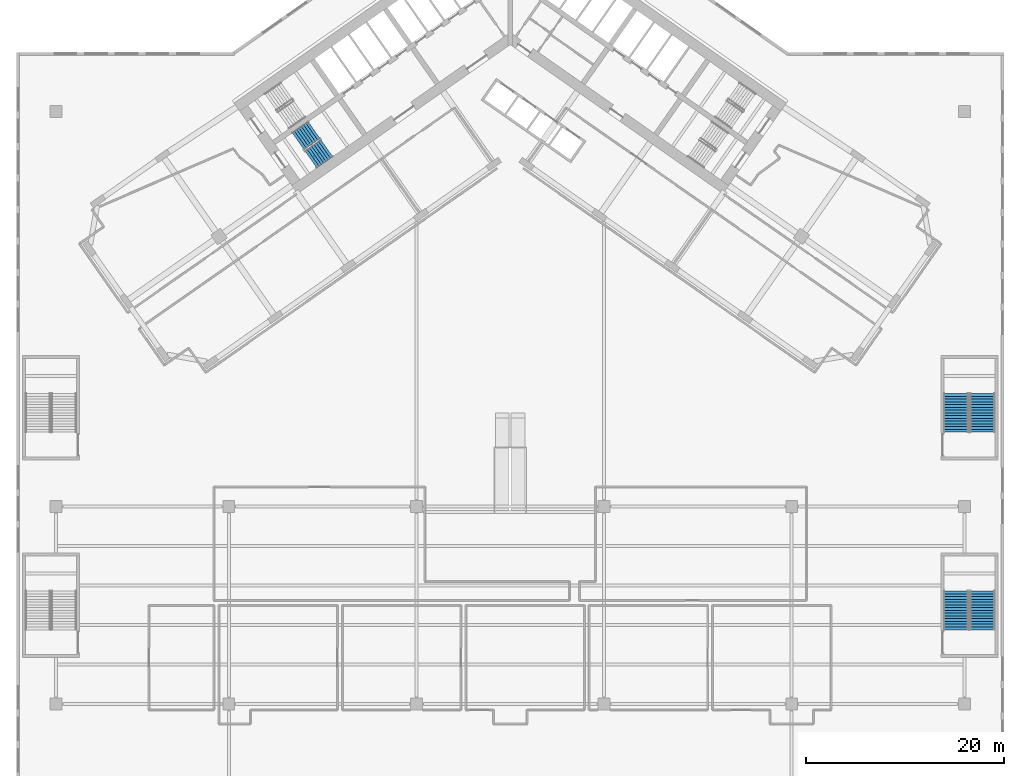
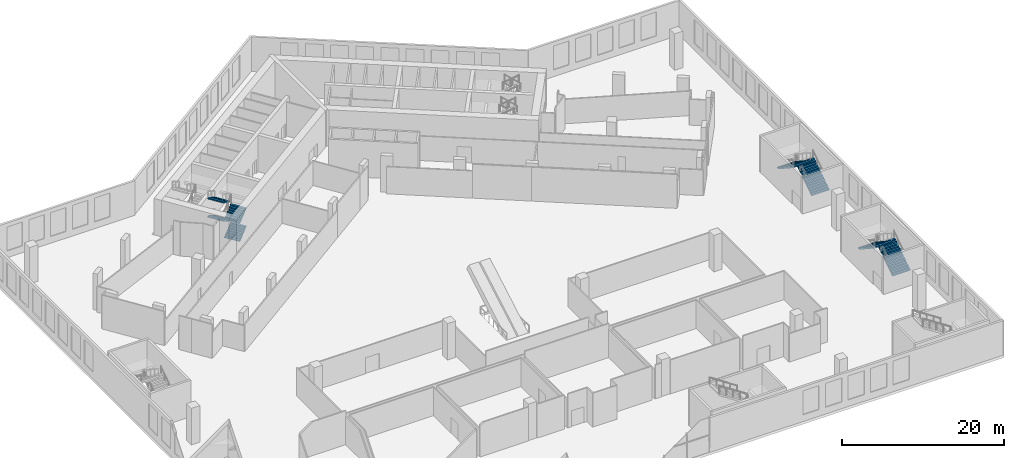
# One storey, part 15 of 26: 8 stair flights, 3 elements without a shape of their own.
"""IFC4 building model written with IfcOpenShell, lengths in metres."""

from ifc_helpers import new_model, si_unit, direction, frame, origin, place, context, subcontext, project, spatial, polyline, outline, extrude, material, type_object, element, aggregate, save


model = new_model("IFC4")

# Units and contexts
model_context = context("Model", 3, precision=1e-05, world=origin(), true_north=direction((0.0, 1.0)))
body_context = subcontext(model_context, "Body", "Model", "MODEL_VIEW")
ifc_project = project(units=[si_unit("LENGTHUNIT", "METRE"), si_unit("AREAUNIT", "SQUARE_METRE"), si_unit("VOLUMEUNIT", "CUBIC_METRE"), si_unit("PLANEANGLEUNIT", "RADIAN"), si_unit("MASSUNIT", "GRAM", prefix="KILO")], contexts=[model_context])

# Site, building, storey
site_placement = place(None, origin())
site = spatial("IfcSite", under=ifc_project, at=site_placement, CompositionType="ELEMENT")
building_placement = place(site_placement, origin())
building = spatial("IfcBuilding", under=site, at=building_placement, Name="Tel Ilan Convention Tower", CompositionType="ELEMENT")
storey_placement = place(building_placement, frame((0.0, 0.0, 32.0)))
storey = spatial("IfcBuildingStorey", under=building, at=storey_placement, Name="L04", CompositionType="ELEMENT", Elevation=32.0)

# Stair, stair flights
ifc_material_1 = material(Name="Concrete C40/50", Category="concrete")
stair_type_1 = type_object("IfcStairType", Name="Pressurised Exit Stair 32 risers 172 mm", PredefinedType="HALF_TURN_STAIR", material=ifc_material_1)
stair_1_placement = place(storey_placement, origin())
stair_1 = element("IfcStair", 1, at=stair_1_placement, inside=storey, type_object=stair_type_1, Name="L04 Pressurised Stair S2", PredefinedType="HALF_TURN_STAIR")
ifc_material_2 = material(Name="Precast Concrete C40/50", Category="concrete")
stair_flight_type_1 = type_object("IfcStairFlightType", Name="Concrete Stair Flight 2100 mm 32 risers 172 mm", PredefinedType="STRAIGHT", material=ifc_material_2)
stair_flight_1_placement = place(storey_placement, frame((-20.179931640625, -12.848388671875, 0.0), z_axis=(0.0, 0.0, 1.0), x_axis=(0.819152044289, 0.573576436351, 0.0)))
stair_flight_1 = element("IfcStairFlight", 2, at=stair_flight_1_placement, type_object=stair_flight_type_1, Name="S2 flight 1", NumberOfRisers=8, NumberOfTreads=7, PredefinedType="STRAIGHT", RiserHeight=0.171875, TreadLength=0.28, context=body_context, shape_type="SweptSolid", body=[
    extrude(outline(polyline([(0.0, 0.0), (0.0, 0.171875), (0.280029296875, 0.171875), (0.280029296875, 0.34375), (0.56005859375, 0.34375), (0.56005859375, 0.515625), (0.840087890625, 0.515625), (0.840087890625, 0.6875), (1.1201171875, 0.6875), (1.1201171875, 0.859375), (1.39990234375, 0.859375), (1.39990234375, 1.03125), (1.679931640625, 1.03125), (1.679931640625, 1.203125), (1.9599609375, 1.203125), (1.9599609375, 1.375), (1.9599609375, 1.02734375), (0.28662109375, 0.0), (0.0, 0.0)])), frame((0.0, -0.100341796875, 0.0), z_axis=(0.0, -1.0, 0.0), x_axis=(1.0, 0.0, 0.0)), (0.0, 0.0, 1.0), 0.94970703125),
    extrude(outline(polyline([(0.0, 0.0), (0.0, 0.171875), (0.280029296875, 0.171875), (0.280029296875, 0.34375), (0.56005859375, 0.34375), (0.56005859375, 0.515625), (0.840087890625, 0.515625), (0.840087890625, 0.6875), (1.1201171875, 0.6875), (1.1201171875, 0.859375), (1.39990234375, 0.859375), (1.39990234375, 1.03125), (1.679931640625, 1.03125), (1.679931640625, 1.203125), (1.9599609375, 1.203125), (1.9599609375, 1.375), (1.9599609375, 1.02734375), (0.28662109375, 0.0), (0.0, 0.0)])), frame((0.0, -0.000244140625, 0.0), z_axis=(0.0, -1.0, 0.0), x_axis=(1.0, 0.0, 0.0)), (0.0, 0.0, 1.0), 0.099609375),
    extrude(outline(polyline([(0.0, 0.0), (0.0, 0.171875), (0.280029296875, 0.171875), (0.280029296875, 0.34375), (0.56005859375, 0.34375), (0.56005859375, 0.515625), (0.840087890625, 0.515625), (0.840087890625, 0.6875), (1.1201171875, 0.6875), (1.1201171875, 0.859375), (1.39990234375, 0.859375), (1.39990234375, 1.03125), (1.679931640625, 1.03125), (1.679931640625, 1.203125), (1.9599609375, 1.203125), (1.9599609375, 1.375), (1.9599609375, 1.02734375), (0.28662109375, 0.0), (0.0, 0.0)])), frame((0.0, 0.099853515625, 0.0), z_axis=(0.0, -1.0, 0.0), x_axis=(1.0, 0.0, 0.0)), (0.0, 0.0, 1.0), 0.099609375),
    extrude(outline(polyline([(0.0, 0.0), (0.0, 0.171875), (0.280029296875, 0.171875), (0.280029296875, 0.34375), (0.56005859375, 0.34375), (0.56005859375, 0.515625), (0.840087890625, 0.515625), (0.840087890625, 0.6875), (1.1201171875, 0.6875), (1.1201171875, 0.859375), (1.39990234375, 0.859375), (1.39990234375, 1.03125), (1.679931640625, 1.03125), (1.679931640625, 1.203125), (1.9599609375, 1.203125), (1.9599609375, 1.375), (1.9599609375, 1.02734375), (0.28662109375, 0.0), (0.0, 0.0)])), frame((0.0, 1.050048828125, 0.0), z_axis=(0.0, -1.0, 0.0), x_axis=(1.0, 0.0, 0.0)), (0.0, 0.0, 1.0), 0.94970703125),
])
stair_flight_2_placement = place(storey_placement, frame((-19.864990234375, -9.881103515625, 1.375), z_axis=(0.0, 0.0, 1.0), x_axis=(-0.819152044289, -0.573576436351, 0.0)))
stair_flight_2 = element("IfcStairFlight", 3, at=stair_flight_2_placement, type_object=stair_flight_type_1, Name="S2 flight 2", NumberOfRisers=8, NumberOfTreads=7, PredefinedType="STRAIGHT", RiserHeight=0.171875, TreadLength=0.28, context=body_context, shape_type="SweptSolid", body=[
    extrude(outline(polyline([(0.0, 0.0), (0.0, 0.171875), (0.280029296875, 0.171875), (0.280029296875, 0.34375), (0.56005859375, 0.34375), (0.56005859375, 0.515625), (0.840087890625, 0.515625), (0.840087890625, 0.6875), (1.1201171875, 0.6875), (1.1201171875, 0.859375), (1.39990234375, 0.859375), (1.39990234375, 1.03125), (1.679931640625, 1.03125), (1.679931640625, 1.203125), (1.9599609375, 1.203125), (1.9599609375, 1.375), (1.9599609375, 1.02734375), (0.28662109375, 0.0), (0.0, 0.0)])), frame((0.0, -0.100341796875, 0.0), z_axis=(0.0, -1.0, 0.0), x_axis=(1.0, 0.0, 0.0)), (0.0, 0.0, 1.0), 0.94970703125),
    extrude(outline(polyline([(0.0, 0.0), (0.0, 0.171875), (0.280029296875, 0.171875), (0.280029296875, 0.34375), (0.56005859375, 0.34375), (0.56005859375, 0.515625), (0.840087890625, 0.515625), (0.840087890625, 0.6875), (1.1201171875, 0.6875), (1.1201171875, 0.859375), (1.39990234375, 0.859375), (1.39990234375, 1.03125), (1.679931640625, 1.03125), (1.679931640625, 1.203125), (1.9599609375, 1.203125), (1.9599609375, 1.375), (1.9599609375, 1.02734375), (0.28662109375, 0.0), (0.0, 0.0)])), frame((0.0, -0.000244140625, 0.0), z_axis=(0.0, -1.0, 0.0), x_axis=(1.0, 0.0, 0.0)), (0.0, 0.0, 1.0), 0.099609375),
    extrude(outline(polyline([(0.0, 0.0), (0.0, 0.171875), (0.280029296875, 0.171875), (0.280029296875, 0.34375), (0.56005859375, 0.34375), (0.56005859375, 0.515625), (0.840087890625, 0.515625), (0.840087890625, 0.6875), (1.1201171875, 0.6875), (1.1201171875, 0.859375), (1.39990234375, 0.859375), (1.39990234375, 1.03125), (1.679931640625, 1.03125), (1.679931640625, 1.203125), (1.9599609375, 1.203125), (1.9599609375, 1.375), (1.9599609375, 1.02734375), (0.28662109375, 0.0), (0.0, 0.0)])), frame((0.0, 0.099853515625, 0.0), z_axis=(0.0, -1.0, 0.0), x_axis=(1.0, 0.0, 0.0)), (0.0, 0.0, 1.0), 0.099609375),
    extrude(outline(polyline([(0.0, 0.0), (0.0, 0.171875), (0.280029296875, 0.171875), (0.280029296875, 0.34375), (0.56005859375, 0.34375), (0.56005859375, 0.515625), (0.840087890625, 0.515625), (0.840087890625, 0.6875), (1.1201171875, 0.6875), (1.1201171875, 0.859375), (1.39990234375, 0.859375), (1.39990234375, 1.03125), (1.679931640625, 1.03125), (1.679931640625, 1.203125), (1.9599609375, 1.203125), (1.9599609375, 1.375), (1.9599609375, 1.02734375), (0.28662109375, 0.0), (0.0, 0.0)])), frame((0.0, 1.050048828125, 0.0), z_axis=(0.0, -1.0, 0.0), x_axis=(1.0, 0.0, 0.0)), (0.0, 0.0, 1.0), 0.94970703125),
])
stair_flight_3_placement = place(storey_placement, frame((-20.179931640625, -12.848388671875, 2.75), z_axis=(0.0, 0.0, 1.0), x_axis=(0.819152044289, 0.573576436351, 0.0)))
stair_flight_3 = element("IfcStairFlight", 4, at=stair_flight_3_placement, type_object=stair_flight_type_1, Name="S2 flight 3", NumberOfRisers=8, NumberOfTreads=7, PredefinedType="STRAIGHT", RiserHeight=0.171875, TreadLength=0.28, context=body_context, shape_type="SweptSolid", body=[
    extrude(outline(polyline([(0.0, 0.0), (0.0, 0.171875), (0.280029296875, 0.171875), (0.280029296875, 0.34375), (0.56005859375, 0.34375), (0.56005859375, 0.515625), (0.840087890625, 0.515625), (0.840087890625, 0.6875), (1.1201171875, 0.6875), (1.1201171875, 0.859375), (1.39990234375, 0.859375), (1.39990234375, 1.03125), (1.679931640625, 1.03125), (1.679931640625, 1.203125), (1.9599609375, 1.203125), (1.9599609375, 1.375), (1.9599609375, 1.02734375), (0.28662109375, 0.0), (0.0, 0.0)])), frame((0.0, -0.100341796875, 0.0), z_axis=(0.0, -1.0, 0.0), x_axis=(1.0, 0.0, 0.0)), (0.0, 0.0, 1.0), 0.94970703125),
    extrude(outline(polyline([(0.0, 0.0), (0.0, 0.171875), (0.280029296875, 0.171875), (0.280029296875, 0.34375), (0.56005859375, 0.34375), (0.56005859375, 0.515625), (0.840087890625, 0.515625), (0.840087890625, 0.6875), (1.1201171875, 0.6875), (1.1201171875, 0.859375), (1.39990234375, 0.859375), (1.39990234375, 1.03125), (1.679931640625, 1.03125), (1.679931640625, 1.203125), (1.9599609375, 1.203125), (1.9599609375, 1.375), (1.9599609375, 1.02734375), (0.28662109375, 0.0), (0.0, 0.0)])), frame((0.0, -0.000244140625, 0.0), z_axis=(0.0, -1.0, 0.0), x_axis=(1.0, 0.0, 0.0)), (0.0, 0.0, 1.0), 0.099609375),
    extrude(outline(polyline([(0.0, 0.0), (0.0, 0.171875), (0.280029296875, 0.171875), (0.280029296875, 0.34375), (0.56005859375, 0.34375), (0.56005859375, 0.515625), (0.840087890625, 0.515625), (0.840087890625, 0.6875), (1.1201171875, 0.6875), (1.1201171875, 0.859375), (1.39990234375, 0.859375), (1.39990234375, 1.03125), (1.679931640625, 1.03125), (1.679931640625, 1.203125), (1.9599609375, 1.203125), (1.9599609375, 1.375), (1.9599609375, 1.02734375), (0.28662109375, 0.0), (0.0, 0.0)])), frame((0.0, 0.099853515625, 0.0), z_axis=(0.0, -1.0, 0.0), x_axis=(1.0, 0.0, 0.0)), (0.0, 0.0, 1.0), 0.099609375),
    extrude(outline(polyline([(0.0, 0.0), (0.0, 0.171875), (0.280029296875, 0.171875), (0.280029296875, 0.34375), (0.56005859375, 0.34375), (0.56005859375, 0.515625), (0.840087890625, 0.515625), (0.840087890625, 0.6875), (1.1201171875, 0.6875), (1.1201171875, 0.859375), (1.39990234375, 0.859375), (1.39990234375, 1.03125), (1.679931640625, 1.03125), (1.679931640625, 1.203125), (1.9599609375, 1.203125), (1.9599609375, 1.375), (1.9599609375, 1.02734375), (0.28662109375, 0.0), (0.0, 0.0)])), frame((0.0, 1.050048828125, 0.0), z_axis=(0.0, -1.0, 0.0), x_axis=(1.0, 0.0, 0.0)), (0.0, 0.0, 1.0), 0.94970703125),
])
stair_flight_4_placement = place(storey_placement, frame((-19.864990234375, -9.881103515625, 4.125), z_axis=(0.0, 0.0, 1.0), x_axis=(-0.819152044289, -0.573576436351, 0.0)))
stair_flight_4 = element("IfcStairFlight", 5, at=stair_flight_4_placement, type_object=stair_flight_type_1, Name="S2 flight 4", NumberOfRisers=8, NumberOfTreads=7, PredefinedType="STRAIGHT", RiserHeight=0.171875, TreadLength=0.28, context=body_context, shape_type="SweptSolid", body=[
    extrude(outline(polyline([(0.0, 0.0), (0.0, 0.171875), (0.280029296875, 0.171875), (0.280029296875, 0.34375), (0.56005859375, 0.34375), (0.56005859375, 0.515625), (0.840087890625, 0.515625), (0.840087890625, 0.6875), (1.1201171875, 0.6875), (1.1201171875, 0.859375), (1.39990234375, 0.859375), (1.39990234375, 1.03125), (1.679931640625, 1.03125), (1.679931640625, 1.203125), (1.9599609375, 1.203125), (1.9599609375, 1.375), (1.9599609375, 1.02734375), (0.28662109375, 0.0), (0.0, 0.0)])), frame((0.0, -0.100341796875, 0.0), z_axis=(0.0, -1.0, 0.0), x_axis=(1.0, 0.0, 0.0)), (0.0, 0.0, 1.0), 0.94970703125),
    extrude(outline(polyline([(0.0, 0.0), (0.0, 0.171875), (0.280029296875, 0.171875), (0.280029296875, 0.34375), (0.56005859375, 0.34375), (0.56005859375, 0.515625), (0.840087890625, 0.515625), (0.840087890625, 0.6875), (1.1201171875, 0.6875), (1.1201171875, 0.859375), (1.39990234375, 0.859375), (1.39990234375, 1.03125), (1.679931640625, 1.03125), (1.679931640625, 1.203125), (1.9599609375, 1.203125), (1.9599609375, 1.375), (1.9599609375, 1.02734375), (0.28662109375, 0.0), (0.0, 0.0)])), frame((0.0, -0.000244140625, 0.0), z_axis=(0.0, -1.0, 0.0), x_axis=(1.0, 0.0, 0.0)), (0.0, 0.0, 1.0), 0.099609375),
    extrude(outline(polyline([(0.0, 0.0), (0.0, 0.171875), (0.280029296875, 0.171875), (0.280029296875, 0.34375), (0.56005859375, 0.34375), (0.56005859375, 0.515625), (0.840087890625, 0.515625), (0.840087890625, 0.6875), (1.1201171875, 0.6875), (1.1201171875, 0.859375), (1.39990234375, 0.859375), (1.39990234375, 1.03125), (1.679931640625, 1.03125), (1.679931640625, 1.203125), (1.9599609375, 1.203125), (1.9599609375, 1.375), (1.9599609375, 1.02734375), (0.28662109375, 0.0), (0.0, 0.0)])), frame((0.0, 0.099853515625, 0.0), z_axis=(0.0, -1.0, 0.0), x_axis=(1.0, 0.0, 0.0)), (0.0, 0.0, 1.0), 0.099609375),
    extrude(outline(polyline([(0.0, 0.0), (0.0, 0.171875), (0.280029296875, 0.171875), (0.280029296875, 0.34375), (0.56005859375, 0.34375), (0.56005859375, 0.515625), (0.840087890625, 0.515625), (0.840087890625, 0.6875), (1.1201171875, 0.6875), (1.1201171875, 0.859375), (1.39990234375, 0.859375), (1.39990234375, 1.03125), (1.679931640625, 1.03125), (1.679931640625, 1.203125), (1.9599609375, 1.203125), (1.9599609375, 1.375), (1.9599609375, 1.02734375), (0.28662109375, 0.0), (0.0, 0.0)])), frame((0.0, 1.050048828125, 0.0), z_axis=(0.0, -1.0, 0.0), x_axis=(1.0, 0.0, 0.0)), (0.0, 0.0, 1.0), 0.94970703125),
])
aggregate(stair_1, [stair_flight_1, stair_flight_2, stair_flight_3, stair_flight_4])

ifc_material_3 = material(Name="Concrete C40/50", Category="concrete")
stair_type_2 = type_object("IfcStairType", Name="Pressurised Exit Stair 30 risers 183 mm", PredefinedType="HALF_TURN_STAIR", material=ifc_material_3)
stair_2_placement = place(storey_placement, origin())
stair_2 = element("IfcStair", 6, at=stair_2_placement, inside=storey, type_object=stair_type_2, Name="L04 Podium Exit Stair P6", PredefinedType="HALF_TURN_STAIR")
ifc_material_4 = material(Name="Precast Concrete C40/50", Category="concrete")
stair_flight_type_2 = type_object("IfcStairFlightType", Name="Concrete Stair Flight 2525 mm 30 risers 183 mm", PredefinedType="STRAIGHT", material=ifc_material_4)
stair_flight_5_placement = place(storey_placement, frame((47.83740234375, -60.47509765625, 0.0), z_axis=(0.0, 0.0, 1.0), x_axis=(0.0, 1.0, 0.0)))
stair_flight_5 = element("IfcStairFlight", 7, at=stair_flight_5_placement, type_object=stair_flight_type_2, Name="P6 flight 1", NumberOfRisers=15, NumberOfTreads=14, PredefinedType="STRAIGHT", RiserHeight=0.183333333, TreadLength=0.28, context=body_context, shape_type="SweptSolid", body=[
    extrude(outline(polyline([(0.0, 0.0), (0.0, 0.183349609375), (0.280029296875, 0.183349609375), (0.280029296875, 0.36669921875), (0.56005859375, 0.36669921875), (0.56005859375, 0.550048828125), (0.840087890625, 0.550048828125), (0.840087890625, 0.7333984375), (1.1201171875, 0.7333984375), (1.1201171875, 0.916748046875), (1.39990234375, 0.916748046875), (1.39990234375, 1.10009765625), (1.679931640625, 1.10009765625), (1.679931640625, 1.283447265625), (1.9599609375, 1.283447265625), (1.9599609375, 1.466552734375), (2.239990234375, 1.466552734375), (2.239990234375, 1.64990234375), (2.52001953125, 1.64990234375), (2.52001953125, 1.833251953125), (2.800048828125, 1.833251953125), (2.800048828125, 2.0166015625), (3.080078125, 2.0166015625), (3.080078125, 2.199951171875), (3.360107421875, 2.199951171875), (3.360107421875, 2.38330078125), (3.639892578125, 2.38330078125), (3.639892578125, 2.566650390625), (3.919921875, 2.566650390625), (3.919921875, 2.75), (3.919921875, 2.387451171875), (0.273681640625, 0.0), (0.0, 0.0)])), frame((0.0, -0.100341796875, 0.0), z_axis=(0.0, -1.0, 0.0), x_axis=(1.0, 0.0, 0.0)), (0.0, 0.0, 1.0), 1.162109375),
    extrude(outline(polyline([(0.0, 0.0), (0.0, 0.183349609375), (0.280029296875, 0.183349609375), (0.280029296875, 0.36669921875), (0.56005859375, 0.36669921875), (0.56005859375, 0.550048828125), (0.840087890625, 0.550048828125), (0.840087890625, 0.7333984375), (1.1201171875, 0.7333984375), (1.1201171875, 0.916748046875), (1.39990234375, 0.916748046875), (1.39990234375, 1.10009765625), (1.679931640625, 1.10009765625), (1.679931640625, 1.283447265625), (1.9599609375, 1.283447265625), (1.9599609375, 1.466552734375), (2.239990234375, 1.466552734375), (2.239990234375, 1.64990234375), (2.52001953125, 1.64990234375), (2.52001953125, 1.833251953125), (2.800048828125, 1.833251953125), (2.800048828125, 2.0166015625), (3.080078125, 2.0166015625), (3.080078125, 2.199951171875), (3.360107421875, 2.199951171875), (3.360107421875, 2.38330078125), (3.639892578125, 2.38330078125), (3.639892578125, 2.566650390625), (3.919921875, 2.566650390625), (3.919921875, 2.75), (3.919921875, 2.387451171875), (0.273681640625, 0.0), (0.0, 0.0)])), frame((0.0, -0.000244140625, 0.0), z_axis=(0.0, -1.0, 0.0), x_axis=(1.0, 0.0, 0.0)), (0.0, 0.0, 1.0), 0.099609375),
    extrude(outline(polyline([(0.0, 0.0), (0.0, 0.183349609375), (0.280029296875, 0.183349609375), (0.280029296875, 0.36669921875), (0.56005859375, 0.36669921875), (0.56005859375, 0.550048828125), (0.840087890625, 0.550048828125), (0.840087890625, 0.7333984375), (1.1201171875, 0.7333984375), (1.1201171875, 0.916748046875), (1.39990234375, 0.916748046875), (1.39990234375, 1.10009765625), (1.679931640625, 1.10009765625), (1.679931640625, 1.283447265625), (1.9599609375, 1.283447265625), (1.9599609375, 1.466552734375), (2.239990234375, 1.466552734375), (2.239990234375, 1.64990234375), (2.52001953125, 1.64990234375), (2.52001953125, 1.833251953125), (2.800048828125, 1.833251953125), (2.800048828125, 2.0166015625), (3.080078125, 2.0166015625), (3.080078125, 2.199951171875), (3.360107421875, 2.199951171875), (3.360107421875, 2.38330078125), (3.639892578125, 2.38330078125), (3.639892578125, 2.566650390625), (3.919921875, 2.566650390625), (3.919921875, 2.75), (3.919921875, 2.387451171875), (0.273681640625, 0.0), (0.0, 0.0)])), frame((0.0, 0.099853515625, 0.0), z_axis=(0.0, -1.0, 0.0), x_axis=(1.0, 0.0, 0.0)), (0.0, 0.0, 1.0), 0.099609375),
    extrude(outline(polyline([(0.0, 0.0), (0.0, 0.183349609375), (0.280029296875, 0.183349609375), (0.280029296875, 0.36669921875), (0.56005859375, 0.36669921875), (0.56005859375, 0.550048828125), (0.840087890625, 0.550048828125), (0.840087890625, 0.7333984375), (1.1201171875, 0.7333984375), (1.1201171875, 0.916748046875), (1.39990234375, 0.916748046875), (1.39990234375, 1.10009765625), (1.679931640625, 1.10009765625), (1.679931640625, 1.283447265625), (1.9599609375, 1.283447265625), (1.9599609375, 1.466552734375), (2.239990234375, 1.466552734375), (2.239990234375, 1.64990234375), (2.52001953125, 1.64990234375), (2.52001953125, 1.833251953125), (2.800048828125, 1.833251953125), (2.800048828125, 2.0166015625), (3.080078125, 2.0166015625), (3.080078125, 2.199951171875), (3.360107421875, 2.199951171875), (3.360107421875, 2.38330078125), (3.639892578125, 2.38330078125), (3.639892578125, 2.566650390625), (3.919921875, 2.566650390625), (3.919921875, 2.75), (3.919921875, 2.387451171875), (0.273681640625, 0.0), (0.0, 0.0)])), frame((0.0, 1.262451171875, 0.0), z_axis=(0.0, -1.0, 0.0), x_axis=(1.0, 0.0, 0.0)), (0.0, 0.0, 1.0), 1.162109375),
])
stair_flight_6_placement = place(storey_placement, frame((45.16259765625, -56.554931640625, 2.75), z_axis=(0.0, 0.0, 1.0), x_axis=(0.0, -1.0, 0.0)))
stair_flight_6 = element("IfcStairFlight", 8, at=stair_flight_6_placement, type_object=stair_flight_type_2, Name="P6 flight 2", NumberOfRisers=15, NumberOfTreads=14, PredefinedType="STRAIGHT", RiserHeight=0.183333333, TreadLength=0.28, context=body_context, shape_type="SweptSolid", body=[
    extrude(outline(polyline([(0.0, 0.0), (0.0, 0.183349609375), (0.280029296875, 0.183349609375), (0.280029296875, 0.36669921875), (0.56005859375, 0.36669921875), (0.56005859375, 0.550048828125), (0.840087890625, 0.550048828125), (0.840087890625, 0.7333984375), (1.1201171875, 0.7333984375), (1.1201171875, 0.916748046875), (1.39990234375, 0.916748046875), (1.39990234375, 1.10009765625), (1.679931640625, 1.10009765625), (1.679931640625, 1.283447265625), (1.9599609375, 1.283447265625), (1.9599609375, 1.466552734375), (2.239990234375, 1.466552734375), (2.239990234375, 1.64990234375), (2.52001953125, 1.64990234375), (2.52001953125, 1.833251953125), (2.800048828125, 1.833251953125), (2.800048828125, 2.0166015625), (3.080078125, 2.0166015625), (3.080078125, 2.199951171875), (3.360107421875, 2.199951171875), (3.360107421875, 2.38330078125), (3.639892578125, 2.38330078125), (3.639892578125, 2.566650390625), (3.919921875, 2.566650390625), (3.919921875, 2.75), (3.919921875, 2.387451171875), (0.273681640625, 0.0), (0.0, 0.0)])), frame((0.0, -0.100341796875, 0.0), z_axis=(0.0, -1.0, 0.0), x_axis=(1.0, 0.0, 0.0)), (0.0, 0.0, 1.0), 1.162109375),
    extrude(outline(polyline([(0.0, 0.0), (0.0, 0.183349609375), (0.280029296875, 0.183349609375), (0.280029296875, 0.36669921875), (0.56005859375, 0.36669921875), (0.56005859375, 0.550048828125), (0.840087890625, 0.550048828125), (0.840087890625, 0.7333984375), (1.1201171875, 0.7333984375), (1.1201171875, 0.916748046875), (1.39990234375, 0.916748046875), (1.39990234375, 1.10009765625), (1.679931640625, 1.10009765625), (1.679931640625, 1.283447265625), (1.9599609375, 1.283447265625), (1.9599609375, 1.466552734375), (2.239990234375, 1.466552734375), (2.239990234375, 1.64990234375), (2.52001953125, 1.64990234375), (2.52001953125, 1.833251953125), (2.800048828125, 1.833251953125), (2.800048828125, 2.0166015625), (3.080078125, 2.0166015625), (3.080078125, 2.199951171875), (3.360107421875, 2.199951171875), (3.360107421875, 2.38330078125), (3.639892578125, 2.38330078125), (3.639892578125, 2.566650390625), (3.919921875, 2.566650390625), (3.919921875, 2.75), (3.919921875, 2.387451171875), (0.273681640625, 0.0), (0.0, 0.0)])), frame((0.0, -0.000244140625, 0.0), z_axis=(0.0, -1.0, 0.0), x_axis=(1.0, 0.0, 0.0)), (0.0, 0.0, 1.0), 0.099609375),
    extrude(outline(polyline([(0.0, 0.0), (0.0, 0.183349609375), (0.280029296875, 0.183349609375), (0.280029296875, 0.36669921875), (0.56005859375, 0.36669921875), (0.56005859375, 0.550048828125), (0.840087890625, 0.550048828125), (0.840087890625, 0.7333984375), (1.1201171875, 0.7333984375), (1.1201171875, 0.916748046875), (1.39990234375, 0.916748046875), (1.39990234375, 1.10009765625), (1.679931640625, 1.10009765625), (1.679931640625, 1.283447265625), (1.9599609375, 1.283447265625), (1.9599609375, 1.466552734375), (2.239990234375, 1.466552734375), (2.239990234375, 1.64990234375), (2.52001953125, 1.64990234375), (2.52001953125, 1.833251953125), (2.800048828125, 1.833251953125), (2.800048828125, 2.0166015625), (3.080078125, 2.0166015625), (3.080078125, 2.199951171875), (3.360107421875, 2.199951171875), (3.360107421875, 2.38330078125), (3.639892578125, 2.38330078125), (3.639892578125, 2.566650390625), (3.919921875, 2.566650390625), (3.919921875, 2.75), (3.919921875, 2.387451171875), (0.273681640625, 0.0), (0.0, 0.0)])), frame((0.0, 0.099853515625, 0.0), z_axis=(0.0, -1.0, 0.0), x_axis=(1.0, 0.0, 0.0)), (0.0, 0.0, 1.0), 0.099609375),
    extrude(outline(polyline([(0.0, 0.0), (0.0, 0.183349609375), (0.280029296875, 0.183349609375), (0.280029296875, 0.36669921875), (0.56005859375, 0.36669921875), (0.56005859375, 0.550048828125), (0.840087890625, 0.550048828125), (0.840087890625, 0.7333984375), (1.1201171875, 0.7333984375), (1.1201171875, 0.916748046875), (1.39990234375, 0.916748046875), (1.39990234375, 1.10009765625), (1.679931640625, 1.10009765625), (1.679931640625, 1.283447265625), (1.9599609375, 1.283447265625), (1.9599609375, 1.466552734375), (2.239990234375, 1.466552734375), (2.239990234375, 1.64990234375), (2.52001953125, 1.64990234375), (2.52001953125, 1.833251953125), (2.800048828125, 1.833251953125), (2.800048828125, 2.0166015625), (3.080078125, 2.0166015625), (3.080078125, 2.199951171875), (3.360107421875, 2.199951171875), (3.360107421875, 2.38330078125), (3.639892578125, 2.38330078125), (3.639892578125, 2.566650390625), (3.919921875, 2.566650390625), (3.919921875, 2.75), (3.919921875, 2.387451171875), (0.273681640625, 0.0), (0.0, 0.0)])), frame((0.0, 1.262451171875, 0.0), z_axis=(0.0, -1.0, 0.0), x_axis=(1.0, 0.0, 0.0)), (0.0, 0.0, 1.0), 1.162109375),
])
aggregate(stair_2, [stair_flight_5, stair_flight_6])

stair_3_placement = place(storey_placement, origin())
stair_3 = element("IfcStair", 9, at=stair_3_placement, inside=storey, type_object=stair_type_2, Name="L04 Podium Exit Stair P8", PredefinedType="HALF_TURN_STAIR")
stair_flight_7_placement = place(storey_placement, frame((47.83740234375, -40.47509765625, 0.0), z_axis=(0.0, 0.0, 1.0), x_axis=(0.0, 1.0, 0.0)))
stair_flight_7 = element("IfcStairFlight", 10, at=stair_flight_7_placement, type_object=stair_flight_type_2, Name="P8 flight 1", NumberOfRisers=15, NumberOfTreads=14, PredefinedType="STRAIGHT", RiserHeight=0.183333333, TreadLength=0.28, context=body_context, shape_type="SweptSolid", body=[
    extrude(outline(polyline([(0.0, 0.0), (0.0, 0.183349609375), (0.280029296875, 0.183349609375), (0.280029296875, 0.36669921875), (0.56005859375, 0.36669921875), (0.56005859375, 0.550048828125), (0.840087890625, 0.550048828125), (0.840087890625, 0.7333984375), (1.1201171875, 0.7333984375), (1.1201171875, 0.916748046875), (1.39990234375, 0.916748046875), (1.39990234375, 1.10009765625), (1.679931640625, 1.10009765625), (1.679931640625, 1.283447265625), (1.9599609375, 1.283447265625), (1.9599609375, 1.466552734375), (2.239990234375, 1.466552734375), (2.239990234375, 1.64990234375), (2.52001953125, 1.64990234375), (2.52001953125, 1.833251953125), (2.800048828125, 1.833251953125), (2.800048828125, 2.0166015625), (3.080078125, 2.0166015625), (3.080078125, 2.199951171875), (3.360107421875, 2.199951171875), (3.360107421875, 2.38330078125), (3.639892578125, 2.38330078125), (3.639892578125, 2.566650390625), (3.919921875, 2.566650390625), (3.919921875, 2.75), (3.919921875, 2.387451171875), (0.273681640625, 0.0), (0.0, 0.0)])), frame((0.0, -0.100341796875, 0.0), z_axis=(0.0, -1.0, 0.0), x_axis=(1.0, 0.0, 0.0)), (0.0, 0.0, 1.0), 1.162109375),
    extrude(outline(polyline([(0.0, 0.0), (0.0, 0.183349609375), (0.280029296875, 0.183349609375), (0.280029296875, 0.36669921875), (0.56005859375, 0.36669921875), (0.56005859375, 0.550048828125), (0.840087890625, 0.550048828125), (0.840087890625, 0.7333984375), (1.1201171875, 0.7333984375), (1.1201171875, 0.916748046875), (1.39990234375, 0.916748046875), (1.39990234375, 1.10009765625), (1.679931640625, 1.10009765625), (1.679931640625, 1.283447265625), (1.9599609375, 1.283447265625), (1.9599609375, 1.466552734375), (2.239990234375, 1.466552734375), (2.239990234375, 1.64990234375), (2.52001953125, 1.64990234375), (2.52001953125, 1.833251953125), (2.800048828125, 1.833251953125), (2.800048828125, 2.0166015625), (3.080078125, 2.0166015625), (3.080078125, 2.199951171875), (3.360107421875, 2.199951171875), (3.360107421875, 2.38330078125), (3.639892578125, 2.38330078125), (3.639892578125, 2.566650390625), (3.919921875, 2.566650390625), (3.919921875, 2.75), (3.919921875, 2.387451171875), (0.273681640625, 0.0), (0.0, 0.0)])), frame((0.0, -0.000244140625, 0.0), z_axis=(0.0, -1.0, 0.0), x_axis=(1.0, 0.0, 0.0)), (0.0, 0.0, 1.0), 0.099609375),
    extrude(outline(polyline([(0.0, 0.0), (0.0, 0.183349609375), (0.280029296875, 0.183349609375), (0.280029296875, 0.36669921875), (0.56005859375, 0.36669921875), (0.56005859375, 0.550048828125), (0.840087890625, 0.550048828125), (0.840087890625, 0.7333984375), (1.1201171875, 0.7333984375), (1.1201171875, 0.916748046875), (1.39990234375, 0.916748046875), (1.39990234375, 1.10009765625), (1.679931640625, 1.10009765625), (1.679931640625, 1.283447265625), (1.9599609375, 1.283447265625), (1.9599609375, 1.466552734375), (2.239990234375, 1.466552734375), (2.239990234375, 1.64990234375), (2.52001953125, 1.64990234375), (2.52001953125, 1.833251953125), (2.800048828125, 1.833251953125), (2.800048828125, 2.0166015625), (3.080078125, 2.0166015625), (3.080078125, 2.199951171875), (3.360107421875, 2.199951171875), (3.360107421875, 2.38330078125), (3.639892578125, 2.38330078125), (3.639892578125, 2.566650390625), (3.919921875, 2.566650390625), (3.919921875, 2.75), (3.919921875, 2.387451171875), (0.273681640625, 0.0), (0.0, 0.0)])), frame((0.0, 0.099853515625, 0.0), z_axis=(0.0, -1.0, 0.0), x_axis=(1.0, 0.0, 0.0)), (0.0, 0.0, 1.0), 0.099609375),
    extrude(outline(polyline([(0.0, 0.0), (0.0, 0.183349609375), (0.280029296875, 0.183349609375), (0.280029296875, 0.36669921875), (0.56005859375, 0.36669921875), (0.56005859375, 0.550048828125), (0.840087890625, 0.550048828125), (0.840087890625, 0.7333984375), (1.1201171875, 0.7333984375), (1.1201171875, 0.916748046875), (1.39990234375, 0.916748046875), (1.39990234375, 1.10009765625), (1.679931640625, 1.10009765625), (1.679931640625, 1.283447265625), (1.9599609375, 1.283447265625), (1.9599609375, 1.466552734375), (2.239990234375, 1.466552734375), (2.239990234375, 1.64990234375), (2.52001953125, 1.64990234375), (2.52001953125, 1.833251953125), (2.800048828125, 1.833251953125), (2.800048828125, 2.0166015625), (3.080078125, 2.0166015625), (3.080078125, 2.199951171875), (3.360107421875, 2.199951171875), (3.360107421875, 2.38330078125), (3.639892578125, 2.38330078125), (3.639892578125, 2.566650390625), (3.919921875, 2.566650390625), (3.919921875, 2.75), (3.919921875, 2.387451171875), (0.273681640625, 0.0), (0.0, 0.0)])), frame((0.0, 1.262451171875, 0.0), z_axis=(0.0, -1.0, 0.0), x_axis=(1.0, 0.0, 0.0)), (0.0, 0.0, 1.0), 1.162109375),
])
stair_flight_8_placement = place(storey_placement, frame((45.16259765625, -36.554931640625, 2.75), z_axis=(0.0, 0.0, 1.0), x_axis=(0.0, -1.0, 0.0)))
stair_flight_8 = element("IfcStairFlight", 11, at=stair_flight_8_placement, type_object=stair_flight_type_2, Name="P8 flight 2", NumberOfRisers=15, NumberOfTreads=14, PredefinedType="STRAIGHT", RiserHeight=0.183333333, TreadLength=0.28, context=body_context, shape_type="SweptSolid", body=[
    extrude(outline(polyline([(0.0, 0.0), (0.0, 0.183349609375), (0.280029296875, 0.183349609375), (0.280029296875, 0.36669921875), (0.56005859375, 0.36669921875), (0.56005859375, 0.550048828125), (0.840087890625, 0.550048828125), (0.840087890625, 0.7333984375), (1.1201171875, 0.7333984375), (1.1201171875, 0.916748046875), (1.39990234375, 0.916748046875), (1.39990234375, 1.10009765625), (1.679931640625, 1.10009765625), (1.679931640625, 1.283447265625), (1.9599609375, 1.283447265625), (1.9599609375, 1.466552734375), (2.239990234375, 1.466552734375), (2.239990234375, 1.64990234375), (2.52001953125, 1.64990234375), (2.52001953125, 1.833251953125), (2.800048828125, 1.833251953125), (2.800048828125, 2.0166015625), (3.080078125, 2.0166015625), (3.080078125, 2.199951171875), (3.360107421875, 2.199951171875), (3.360107421875, 2.38330078125), (3.639892578125, 2.38330078125), (3.639892578125, 2.566650390625), (3.919921875, 2.566650390625), (3.919921875, 2.75), (3.919921875, 2.387451171875), (0.273681640625, 0.0), (0.0, 0.0)])), frame((0.0, -0.100341796875, 0.0), z_axis=(0.0, -1.0, 0.0), x_axis=(1.0, 0.0, 0.0)), (0.0, 0.0, 1.0), 1.162109375),
    extrude(outline(polyline([(0.0, 0.0), (0.0, 0.183349609375), (0.280029296875, 0.183349609375), (0.280029296875, 0.36669921875), (0.56005859375, 0.36669921875), (0.56005859375, 0.550048828125), (0.840087890625, 0.550048828125), (0.840087890625, 0.7333984375), (1.1201171875, 0.7333984375), (1.1201171875, 0.916748046875), (1.39990234375, 0.916748046875), (1.39990234375, 1.10009765625), (1.679931640625, 1.10009765625), (1.679931640625, 1.283447265625), (1.9599609375, 1.283447265625), (1.9599609375, 1.466552734375), (2.239990234375, 1.466552734375), (2.239990234375, 1.64990234375), (2.52001953125, 1.64990234375), (2.52001953125, 1.833251953125), (2.800048828125, 1.833251953125), (2.800048828125, 2.0166015625), (3.080078125, 2.0166015625), (3.080078125, 2.199951171875), (3.360107421875, 2.199951171875), (3.360107421875, 2.38330078125), (3.639892578125, 2.38330078125), (3.639892578125, 2.566650390625), (3.919921875, 2.566650390625), (3.919921875, 2.75), (3.919921875, 2.387451171875), (0.273681640625, 0.0), (0.0, 0.0)])), frame((0.0, -0.000244140625, 0.0), z_axis=(0.0, -1.0, 0.0), x_axis=(1.0, 0.0, 0.0)), (0.0, 0.0, 1.0), 0.099609375),
    extrude(outline(polyline([(0.0, 0.0), (0.0, 0.183349609375), (0.280029296875, 0.183349609375), (0.280029296875, 0.36669921875), (0.56005859375, 0.36669921875), (0.56005859375, 0.550048828125), (0.840087890625, 0.550048828125), (0.840087890625, 0.7333984375), (1.1201171875, 0.7333984375), (1.1201171875, 0.916748046875), (1.39990234375, 0.916748046875), (1.39990234375, 1.10009765625), (1.679931640625, 1.10009765625), (1.679931640625, 1.283447265625), (1.9599609375, 1.283447265625), (1.9599609375, 1.466552734375), (2.239990234375, 1.466552734375), (2.239990234375, 1.64990234375), (2.52001953125, 1.64990234375), (2.52001953125, 1.833251953125), (2.800048828125, 1.833251953125), (2.800048828125, 2.0166015625), (3.080078125, 2.0166015625), (3.080078125, 2.199951171875), (3.360107421875, 2.199951171875), (3.360107421875, 2.38330078125), (3.639892578125, 2.38330078125), (3.639892578125, 2.566650390625), (3.919921875, 2.566650390625), (3.919921875, 2.75), (3.919921875, 2.387451171875), (0.273681640625, 0.0), (0.0, 0.0)])), frame((0.0, 0.099853515625, 0.0), z_axis=(0.0, -1.0, 0.0), x_axis=(1.0, 0.0, 0.0)), (0.0, 0.0, 1.0), 0.099609375),
    extrude(outline(polyline([(0.0, 0.0), (0.0, 0.183349609375), (0.280029296875, 0.183349609375), (0.280029296875, 0.36669921875), (0.56005859375, 0.36669921875), (0.56005859375, 0.550048828125), (0.840087890625, 0.550048828125), (0.840087890625, 0.7333984375), (1.1201171875, 0.7333984375), (1.1201171875, 0.916748046875), (1.39990234375, 0.916748046875), (1.39990234375, 1.10009765625), (1.679931640625, 1.10009765625), (1.679931640625, 1.283447265625), (1.9599609375, 1.283447265625), (1.9599609375, 1.466552734375), (2.239990234375, 1.466552734375), (2.239990234375, 1.64990234375), (2.52001953125, 1.64990234375), (2.52001953125, 1.833251953125), (2.800048828125, 1.833251953125), (2.800048828125, 2.0166015625), (3.080078125, 2.0166015625), (3.080078125, 2.199951171875), (3.360107421875, 2.199951171875), (3.360107421875, 2.38330078125), (3.639892578125, 2.38330078125), (3.639892578125, 2.566650390625), (3.919921875, 2.566650390625), (3.919921875, 2.75), (3.919921875, 2.387451171875), (0.273681640625, 0.0), (0.0, 0.0)])), frame((0.0, 1.262451171875, 0.0), z_axis=(0.0, -1.0, 0.0), x_axis=(1.0, 0.0, 0.0)), (0.0, 0.0, 1.0), 1.162109375),
])
aggregate(stair_3, [stair_flight_7, stair_flight_8])

save(model, "model.ifc")
